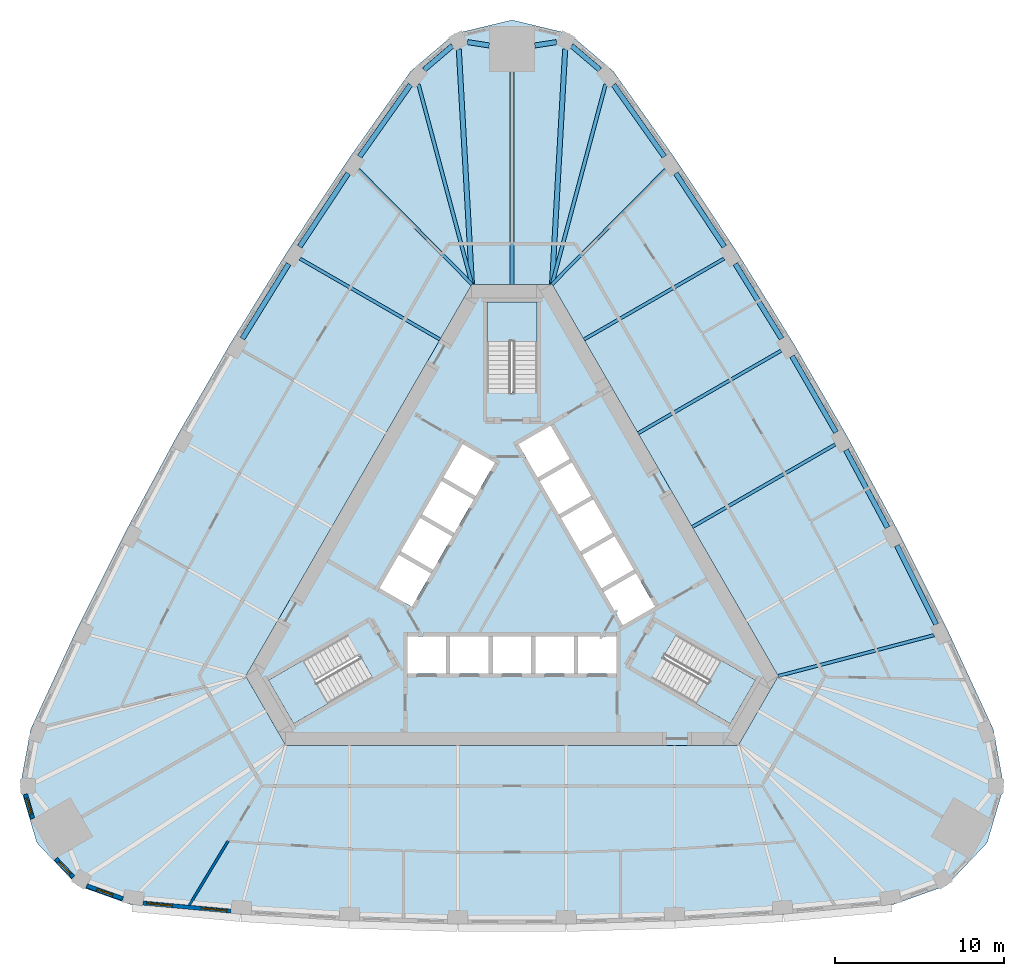
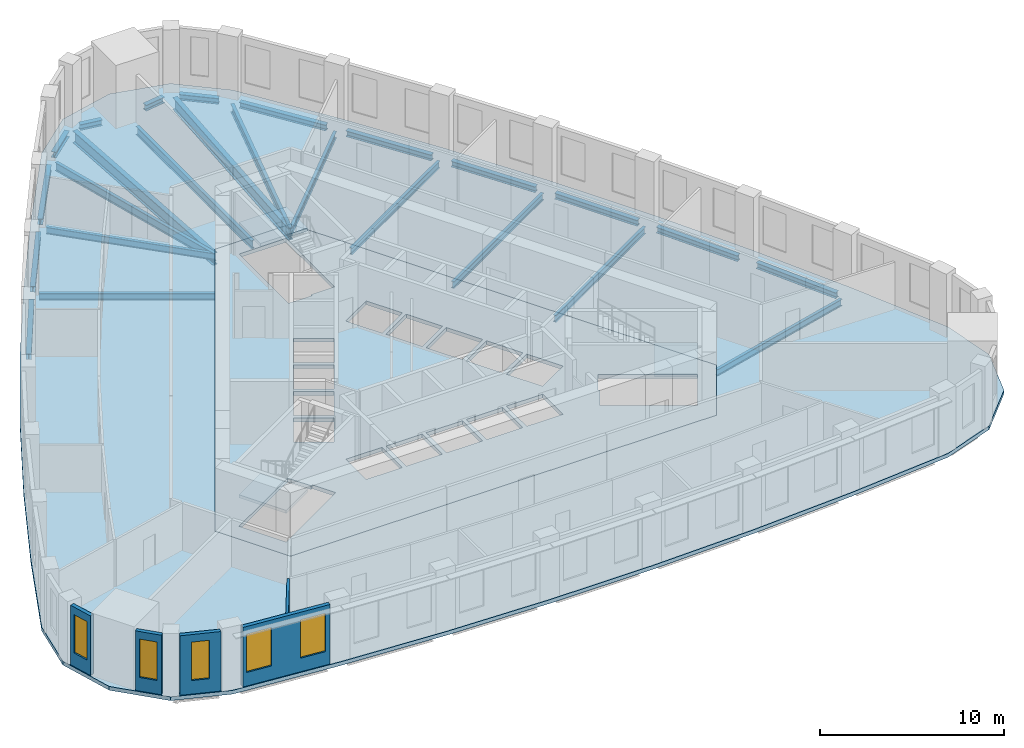
# One storey, part 2 of 10: 25 beams, 5 slabs, 5 walls, 5 windows, 5 openings, 3 elements without a shape of their own.
"""IFC4 building model written with IfcOpenShell, lengths in metres."""

from ifc_helpers import new_model, si_unit, direction, frame, frame_2d, origin, origin_2d, place, context, subcontext, project, spatial, polyline, rectangle, i_section, outline, extrude, material, layer, layer_set, material_profile, profile_set, type_object, element, fill, aggregate, save


model = new_model("IFC4")

# Units and contexts
model_context = context("Model", 3, precision=1e-05, world=origin(), true_north=direction((0.0, 1.0)))
body_context = subcontext(model_context, "Body", "Model", "MODEL_VIEW")
ifc_project = project(units=[si_unit("LENGTHUNIT", "METRE"), si_unit("AREAUNIT", "SQUARE_METRE"), si_unit("VOLUMEUNIT", "CUBIC_METRE"), si_unit("PLANEANGLEUNIT", "RADIAN"), si_unit("MASSUNIT", "GRAM", prefix="KILO")], contexts=[model_context])

# Site, building, storey
site_placement = place(None, origin())
site = spatial("IfcSite", under=ifc_project, at=site_placement, CompositionType="ELEMENT")
building_placement = place(site_placement, origin())
building = spatial("IfcBuilding", under=site, at=building_placement, Name="Mestral Congress Tower", CompositionType="ELEMENT")
storey_placement = place(building_placement, frame((0.0, 0.0, 150.0)))
storey = spatial("IfcBuildingStorey", under=building, at=storey_placement, Name="L35", CompositionType="ELEMENT", Elevation=150.0)

# Beams
ifc_material_1 = material(Name="Steel S355", Category="steel")
ifc_material_profile_1 = material_profile(ifc_material_1, i_section(OverallWidth=0.300048828125, OverallDepth=0.800048828125, WebThickness=0.017578125, FlangeThickness=0.032958984375, FilletRadius=0.030029296875, at=origin_2d()), Name="HEB 800")
ifc_profile_set_1 = profile_set([ifc_material_profile_1], Name="Steel S355")
beam_type_1 = type_object("IfcBeamType", Name="Floor beam HEB 800 S355", PredefinedType="BEAM", material=ifc_profile_set_1)
for number, where, z_axis, x_axis, name in (
    (1, (3.143798828125, 30.703857421875, -0.64990234375), (-0.055769084972, -0.998443693536, 0.0), (0.998443693536, -0.055769084972, 0.0), "BM-L35-RB3-N1"),
    (2, (-3.143798828125, 30.703857421875, -0.64990234375), (0.055769084972, -0.998443693536, 0.0), (0.998443693536, 0.055769084972, 0.0), "BM-L35-RB3-N3"),
):
    element("IfcBeam", number, at=place(storey_placement, frame(where, z_axis=z_axis, x_axis=x_axis)), inside=storey, type_object=beam_type_1, Name=name, PredefinedType="BEAM", context=body_context, shape_type="SweptSolid", body=[
        extrude(i_section(OverallWidth=0.300048828125, OverallDepth=0.800048828125, WebThickness=0.017578125, FlangeThickness=0.032958984375, FilletRadius=0.030029296875, at=origin_2d()), origin(), (0.0, 0.0, 1.0), 13.925537109375),
    ])
ifc_material_profile_2 = material_profile(ifc_material_1, i_section(OverallWidth=0.18994140625, OverallDepth=0.449951171875, WebThickness=0.009521484375, FlangeThickness=0.0146484375, FilletRadius=0.02099609375, at=origin_2d()), Name="IPE 450")
ifc_profile_set_2 = profile_set([ifc_material_profile_2], Name="Steel S355")
beam_type_2 = type_object("IfcBeamType", Name="Floor beam IPE 450 S355", PredefinedType="BEAM", material=ifc_profile_set_2)
beam_1_placement = place(storey_placement, frame((24.938232421875, -3.93505859375, -0.47509765625), z_axis=(-0.967265999603, -0.253764627187, 0.0), x_axis=(0.253764627187, -0.967265999603, 0.0)))
element("IfcBeam", 3, at=beam_1_placement, inside=storey, type_object=beam_type_2, Name="BM-L35-RB3-E01", PredefinedType="BEAM", context=body_context, shape_type="SweptSolid", body=[
    extrude(i_section(OverallWidth=0.18994140625, OverallDepth=0.449951171875, WebThickness=0.009521484375, FlangeThickness=0.0146484375, FilletRadius=0.02099609375, at=origin_2d()), origin(), (0.0, 0.0, 1.0), 9.516845703125),
])
beam_2_placement = place(storey_placement, frame((19.100830078125, 7.332763671875, -0.47509765625), z_axis=(-0.866036015824, -0.499981618958, 0.0), x_axis=(0.499981618958, -0.866036015824, 0.0)))
element("IfcBeam", 4, at=beam_2_placement, inside=storey, type_object=beam_type_2, Name="BM-L35-RB3-E03", PredefinedType="BEAM", context=body_context, shape_type="SweptSolid", body=[
    extrude(i_section(OverallWidth=0.18994140625, OverallDepth=0.449951171875, WebThickness=0.009521484375, FlangeThickness=0.0146484375, FilletRadius=0.02099609375, at=origin_2d()), origin(), (0.0, 0.0, 1.0), 9.758056640625),
])
beam_3_placement = place(storey_placement, frame((15.90087890625, 12.875244140625, -0.47509765625), z_axis=(-0.866025182435, -0.500000383388, 0.0), x_axis=(0.500000383388, -0.866025182435, 0.0)))
element("IfcBeam", 5, at=beam_3_placement, inside=storey, type_object=beam_type_2, Name="BM-L35-RB3-E04", PredefinedType="BEAM", context=body_context, shape_type="SweptSolid", body=[
    extrude(i_section(OverallWidth=0.18994140625, OverallDepth=0.449951171875, WebThickness=0.009521484375, FlangeThickness=0.0146484375, FilletRadius=0.02099609375, at=origin_2d()), origin(), (0.0, 0.0, 1.0), 9.75830078125),
])
beam_4_placement = place(storey_placement, frame((12.532958984375, 18.317138671875, -0.47509765625), z_axis=(-0.866022320763, -0.500005339912, 0.0), x_axis=(0.500005339912, -0.866022320763, 0.0)))
element("IfcBeam", 6, at=beam_4_placement, inside=storey, type_object=beam_type_2, Name="BM-L35-RB3-E05", PredefinedType="BEAM", context=body_context, shape_type="SweptSolid", body=[
    extrude(i_section(OverallWidth=0.18994140625, OverallDepth=0.449951171875, WebThickness=0.009521484375, FlangeThickness=0.0146484375, FilletRadius=0.02099609375, at=origin_2d()), origin(), (0.0, 0.0, 1.0), 9.5625),
])
for number, where, z_axis, x_axis, name in (
    (7, (9.06103515625, 23.564697265625, -0.47509765625), (-0.703377189025, -0.710816804781, 0.0), (0.710816804781, -0.703377189025, 0.0), "BM-L35-RB3-E06"),
    (8, (-9.06103515625, 23.564697265625, -0.47509765625), (0.703377189025, -0.710816804781, 0.0), (0.710816804781, 0.703377189025, 0.0), "BM-L35-RB3-W01"),
):
    element("IfcBeam", number, at=place(storey_placement, frame(where, z_axis=z_axis, x_axis=x_axis)), inside=storey, type_object=beam_type_2, Name=name, PredefinedType="BEAM", context=body_context, shape_type="SweptSolid", body=[
        extrude(i_section(OverallWidth=0.18994140625, OverallDepth=0.449951171875, WebThickness=0.009521484375, FlangeThickness=0.0146484375, FilletRadius=0.02099609375, at=origin_2d()), origin(), (0.0, 0.0, 1.0), 9.516845703125),
    ])
beam_5_placement = place(storey_placement, frame((-12.532958984375, 18.317138671875, -0.47509765625), z_axis=(0.866022320763, -0.500005339912, 0.0), x_axis=(0.500005339912, 0.866022320763, 0.0)))
element("IfcBeam", 9, at=beam_5_placement, inside=storey, type_object=beam_type_2, Name="BM-L35-RB3-W02", PredefinedType="BEAM", context=body_context, shape_type="SweptSolid", body=[
    extrude(i_section(OverallWidth=0.18994140625, OverallDepth=0.449951171875, WebThickness=0.009521484375, FlangeThickness=0.0146484375, FilletRadius=0.02099609375, at=origin_2d()), origin(), (0.0, 0.0, 1.0), 9.5625),
])
ifc_material_profile_3 = material_profile(ifc_material_1, i_section(OverallWidth=0.2099609375, OverallDepth=0.550048828125, WebThickness=0.010986328125, FlangeThickness=0.01708984375, FilletRadius=0.02392578125, at=origin_2d()), Name="IPE 550")
ifc_profile_set_3 = profile_set([ifc_material_profile_3], Name="Steel S355")
beam_type_3 = type_object("IfcBeamType", Name="Floor beam IPE 550 S355", PredefinedType="BEAM", material=ifc_profile_set_3)
beam_6_placement = place(storey_placement, frame((5.5283203125, 28.609375, -0.52490234375), z_axis=(-0.258577363905, -0.965990552167, 0.0), x_axis=(0.965990552167, -0.258577363905, 0.0)))
element("IfcBeam", 10, at=beam_6_placement, inside=storey, type_object=beam_type_3, Name="BM-L35-RB3-E07", PredefinedType="BEAM", context=body_context, shape_type="SweptSolid", body=[
    extrude(i_section(OverallWidth=0.2099609375, OverallDepth=0.550048828125, WebThickness=0.010986328125, FlangeThickness=0.01708984375, FilletRadius=0.02392578125, at=origin_2d()), origin(), (0.0, 0.0, 1.0), 12.22509765625),
])
beam_7_placement = place(storey_placement, frame((0.0, 29.354248046875, -0.52490234375), z_axis=(0.0, -1.0, 0.0), x_axis=(1.0, 0.0, 0.0)))
element("IfcBeam", 11, at=beam_7_placement, inside=storey, type_object=beam_type_3, Name="BM-L35-RB3-N", PredefinedType="BEAM", context=body_context, shape_type="SweptSolid", body=[
    extrude(i_section(OverallWidth=0.2099609375, OverallDepth=0.550048828125, WebThickness=0.010986328125, FlangeThickness=0.01708984375, FilletRadius=0.02392578125, at=origin_2d()), origin(), (0.0, 0.0, 1.0), 12.55419921875),
])
beam_8_placement = place(storey_placement, frame((-5.5283203125, 28.609375, -0.52490234375), z_axis=(0.258577363905, -0.965990552167, 0.0), x_axis=(0.965990552167, 0.258577363905, 0.0)))
element("IfcBeam", 12, at=beam_8_placement, inside=storey, type_object=beam_type_3, Name="BM-L35-RB3-W00", PredefinedType="BEAM", context=body_context, shape_type="SweptSolid", body=[
    extrude(i_section(OverallWidth=0.2099609375, OverallDepth=0.550048828125, WebThickness=0.010986328125, FlangeThickness=0.01708984375, FilletRadius=0.02392578125, at=origin_2d()), origin(), (0.0, 0.0, 1.0), 12.22509765625),
])
ifc_material_profile_4 = material_profile(ifc_material_1, i_section(OverallWidth=0.300048828125, OverallDepth=0.389892578125, WebThickness=0.010986328125, FlangeThickness=0.01904296875, FilletRadius=0.027099609375, at=origin_2d()), Name="HEA 400")
ifc_profile_set_4 = profile_set([ifc_material_profile_4], Name="Steel S355")
beam_type_4 = type_object("IfcBeamType", Name="Spandrel beam HEA 400 S355", PredefinedType="BEAM", material=ifc_profile_set_4)
beam_9_placement = place(storey_placement, frame((25.064453125, -3.294677734375, -0.445068359375), z_axis=(-0.446255467462, 0.894905613884, 0.0), x_axis=(-0.894905613884, -0.446255467462, 0.0)))
element("IfcBeam", 13, at=beam_9_placement, inside=storey, type_object=beam_type_4, Name="SP-L35-SB3-E01", PredefinedType="BEAM", context=body_context, shape_type="SweptSolid", body=[
    extrude(i_section(OverallWidth=0.300048828125, OverallDepth=0.389892578125, WebThickness=0.010986328125, FlangeThickness=0.01904296875, FilletRadius=0.027099609375, at=origin_2d()), origin(), (0.0, 0.0, 1.0), 5.199462890625),
])
for number, where, z_axis, x_axis, name in (
    (14, (22.1923828125, 2.424072265625, -0.445068359375), (-0.473332458078, 0.880883865291, 0.0), (-0.880883865291, -0.473332458078, 0.0), "SP-L35-SB3-E02"),
    (15, (19.147216796875, 8.052490234375, -0.445068359375), (-0.499992051641, 0.866029992723, 0.0), (-0.866029992723, -0.499992051641, 0.0), "SP-L35-SB3-E03"),
):
    element("IfcBeam", number, at=place(storey_placement, frame(where, z_axis=z_axis, x_axis=x_axis)), inside=storey, type_object=beam_type_4, Name=name, PredefinedType="BEAM", context=body_context, shape_type="SweptSolid", body=[
        extrude(i_section(OverallWidth=0.300048828125, OverallDepth=0.389892578125, WebThickness=0.010986328125, FlangeThickness=0.01904296875, FilletRadius=0.027099609375, at=origin_2d()), origin(), (0.0, 0.0, 1.0), 5.19970703125),
    ])
for number, where, z_axis, x_axis, name in (
    (16, (15.931640625, 13.585693359375, -0.445068359375), (-0.526220441006, 0.8503481919, 0.0), (-0.8503481919, -0.526220441006, 0.0), "SP-L35-SB3-E04"),
    (17, (12.548583984375, 19.017822265625, -0.445068359375), (-0.551901475275, 0.833909324561, 0.0), (-0.833909324561, -0.551901475275, 0.0), "SP-L35-SB3-E05"),
):
    element("IfcBeam", number, at=place(storey_placement, frame(where, z_axis=z_axis, x_axis=x_axis)), inside=storey, type_object=beam_type_4, Name=name, PredefinedType="BEAM", context=body_context, shape_type="SweptSolid", body=[
        extrude(i_section(OverallWidth=0.300048828125, OverallDepth=0.389892578125, WebThickness=0.010986328125, FlangeThickness=0.01904296875, FilletRadius=0.027099609375, at=origin_2d()), origin(), (0.0, 0.0, 1.0), 5.199462890625),
    ])
beam_10_placement = place(storey_placement, frame((9.00146484375, 24.34423828125, -0.445068359375), z_axis=(-0.577107284947, 0.816668342512, 0.0), x_axis=(-0.816668342512, -0.577107284947, 0.0)))
element("IfcBeam", 18, at=beam_10_placement, inside=storey, type_object=beam_type_4, Name="SP-L35-SB3-E06", PredefinedType="BEAM", context=body_context, shape_type="SweptSolid", body=[
    extrude(i_section(OverallWidth=0.300048828125, OverallDepth=0.389892578125, WebThickness=0.010986328125, FlangeThickness=0.01904296875, FilletRadius=0.027099609375, at=origin_2d()), origin(), (0.0, 0.0, 1.0), 5.197509765625),
])
beam_11_placement = place(storey_placement, frame((5.191162109375, 29.47509765625, -0.445068359375), z_axis=(-0.761471479234, 0.648198415852, 0.0), x_axis=(-0.648198415852, -0.761471479234, 0.0)))
element("IfcBeam", 19, at=beam_11_placement, inside=storey, type_object=beam_type_4, Name="SP-L35-SB3-E07", PredefinedType="BEAM", context=body_context, shape_type="SweptSolid", body=[
    extrude(i_section(OverallWidth=0.300048828125, OverallDepth=0.389892578125, WebThickness=0.010986328125, FlangeThickness=0.01904296875, FilletRadius=0.027099609375, at=origin_2d()), origin(), (0.0, 0.0, 1.0), 2.189697265625),
])
for number, where, z_axis, x_axis, name in (
    (20, (2.62353515625, 31.10986328125, -0.445068359375), (-0.988242111203, -0.152897121116, 0.0), (0.152897121116, -0.988242111203, 0.0), "SP-L35-SB3-N1"),
    (21, (-1.35009765625, 30.912841796875, -0.445068359375), (-0.988242111203, 0.152897121116, 0.0), (-0.152897121116, -0.988242111203, 0.0), "SP-L35-SB3-N"),
):
    element("IfcBeam", number, at=place(storey_placement, frame(where, z_axis=z_axis, x_axis=x_axis)), inside=storey, type_object=beam_type_4, Name=name, PredefinedType="BEAM", context=body_context, shape_type="SweptSolid", body=[
        extrude(i_section(OverallWidth=0.300048828125, OverallDepth=0.389892578125, WebThickness=0.010986328125, FlangeThickness=0.01904296875, FilletRadius=0.027099609375, at=origin_2d()), origin(), (0.0, 0.0, 1.0), 1.28857421875),
    ])
beam_12_placement = place(storey_placement, frame((-3.523681640625, 30.89453125, -0.445068359375), z_axis=(-0.761471479234, -0.648198415852, 0.0), x_axis=(0.648198415852, -0.761471479234, 0.0)))
element("IfcBeam", 22, at=beam_12_placement, inside=storey, type_object=beam_type_4, Name="SP-L35-SB3-N3", PredefinedType="BEAM", context=body_context, shape_type="SweptSolid", body=[
    extrude(i_section(OverallWidth=0.300048828125, OverallDepth=0.389892578125, WebThickness=0.010986328125, FlangeThickness=0.01904296875, FilletRadius=0.027099609375, at=origin_2d()), origin(), (0.0, 0.0, 1.0), 2.189697265625),
])
beam_13_placement = place(storey_placement, frame((-6.001953125, 28.5888671875, -0.445068359375), z_axis=(-0.577107284947, -0.816668342512, 0.0), x_axis=(0.816668342512, -0.577107284947, 0.0)))
element("IfcBeam", 23, at=beam_13_placement, inside=storey, type_object=beam_type_4, Name="SP-L35-SB3-W00", PredefinedType="BEAM", context=body_context, shape_type="SweptSolid", body=[
    extrude(i_section(OverallWidth=0.300048828125, OverallDepth=0.389892578125, WebThickness=0.010986328125, FlangeThickness=0.01904296875, FilletRadius=0.027099609375, at=origin_2d()), origin(), (0.0, 0.0, 1.0), 5.197509765625),
])
for number, where, z_axis, x_axis, name in (
    (24, (-9.678955078125, 23.353759765625, -0.445068359375), (-0.551901475275, -0.833909324561, 0.0), (0.833909324561, -0.551901475275, 0.0), "SP-L35-SB3-W01"),
    (25, (-13.195556640625, 18.007080078125, -0.445068359375), (-0.526220441006, -0.8503481919, 0.0), (0.8503481919, -0.526220441006, 0.0), "SP-L35-SB3-W02"),
):
    element("IfcBeam", number, at=place(storey_placement, frame(where, z_axis=z_axis, x_axis=x_axis)), inside=storey, type_object=beam_type_4, Name=name, PredefinedType="BEAM", context=body_context, shape_type="SweptSolid", body=[
        extrude(i_section(OverallWidth=0.300048828125, OverallDepth=0.389892578125, WebThickness=0.010986328125, FlangeThickness=0.01904296875, FilletRadius=0.027099609375, at=origin_2d()), origin(), (0.0, 0.0, 1.0), 5.199462890625),
    ])

# Slabs
ifc_material_2 = material(Name="Concrete C35/45", Category="concrete")
ifc_layer_1 = layer(ifc_material_2, 0.25)
ifc_layer_set_1 = layer_set([ifc_layer_1], Name="Concrete C35/45")
slab_type_1 = type_object("IfcSlabType", Name="Composite floor slab 250", PredefinedType="FLOOR", material=ifc_layer_set_1)
placement_1 = place(storey_placement, frame((0.0, 0.0, -0.25)))
element("IfcSlab", 26, at=placement_1, inside=storey, type_object=slab_type_1, Name="SL-L35", PredefinedType="FLOOR", context=body_context, shape_type="SweptSolid", body=[
    extrude(outline(polyline([(-22.455078125, -19.880126953125), (-25.68212890625, -18.731689453125), (-28.073974609375, -16.20849609375), (-29.06298828125, -12.87548828125), (-28.444091796875, -9.506591796875), (-25.73779296875, -3.63720703125), (-22.8759765625, 2.1025390625), (-19.84033203125, 7.751953125), (-16.633544921875, 13.30615234375), (-13.2587890625, 18.760009765625), (-9.71923828125, 24.1083984375), (-5.9892578125, 29.38671875), (-3.381103515625, 31.607177734375), (0.0, 32.4169921875), (3.381103515625, 31.607177734375), (5.9892578125, 29.38671875), (9.71923828125, 24.1083984375), (13.2587890625, 18.760009765625), (16.633544921875, 13.30615234375), (19.84033203125, 7.751953125), (22.8759765625, 2.1025390625), (25.73779296875, -3.63720703125), (28.444091796875, -9.506591796875), (29.06298828125, -12.87548828125), (28.073974609375, -16.20849609375), (25.68212890625, -18.731689453125), (22.455078125, -19.880126953125), (16.018798828125, -20.47119140625), (9.6171875, -20.862548828125), (3.206787109375, -21.05810546875), (-3.206787109375, -21.05810546875), (-9.6171875, -20.862548828125), (-16.018798828125, -20.47119140625), (-22.455078125, -19.880126953125)]), holes=[polyline([(-2.3671875, 16.800048828125), (-15.73291015625, -6.35009765625), (-13.36572265625, -10.449951171875), (13.36572265625, -10.449951171875), (15.73291015625, -6.35009765625), (2.3671875, 16.800048828125), (-2.3671875, 16.800048828125)])]), origin(), (0.0, 0.0, 1.0), 0.25),
])
ifc_material_3 = material(Name="Concrete C60/75", Category="concrete")
ifc_layer_2 = layer(ifc_material_3, 0.25)
ifc_layer_set_2 = layer_set([ifc_layer_2], Name="Concrete C60/75")
slab_type_2 = type_object("IfcSlabType", Name="Core floor slab RC 250", PredefinedType="FLOOR", material=ifc_layer_set_2)
element("IfcSlab", 27, at=placement_1, inside=storey, type_object=slab_type_2, Name="L35 core floor", PredefinedType="FLOOR", context=body_context, shape_type="SweptSolid", body=[
    extrude(outline(polyline([(13.36572265625, -10.449951171875), (-13.36572265625, -10.449951171875), (-15.73291015625, -6.35009765625), (-2.3671875, 16.800048828125), (2.3671875, 16.800048828125), (15.73291015625, -6.35009765625), (13.36572265625, -10.449951171875)]), holes=[polyline([(-9.8046875, -3.95751953125), (-14.37744140625, -6.59765625), (-12.90234375, -9.15234375), (-8.234619140625, -6.45751953125), (-8.971923828125, -5.179931640625), (-9.0673828125, -5.235107421875), (-9.8046875, -3.95751953125)]), polyline([(-3.905029296875, -4.0), (-6.175048828125, -4.0), (-6.175048828125, -6.199951171875), (-3.905029296875, -6.199951171875), (-3.905029296875, -4.0)]), polyline([(-1.385009765625, -4.0), (-3.655029296875, -4.0), (-3.655029296875, -6.199951171875), (-1.385009765625, -6.199951171875), (-1.385009765625, -4.0)]), polyline([(1.135009765625, -4.0), (-1.135009765625, -4.0), (-1.135009765625, -6.199951171875), (1.135009765625, -6.199951171875), (1.135009765625, -4.0)]), polyline([(-5.921630859375, -2.256591796875), (-4.78662109375, -0.29052734375), (-6.69189453125, 0.809326171875), (-7.826904296875, -1.156494140625), (-5.921630859375, -2.256591796875)]), polyline([(-4.66162109375, -0.07421875), (-3.526611328125, 1.8916015625), (-5.431884765625, 2.99169921875), (-6.56689453125, 1.02587890625), (-4.66162109375, -0.07421875)]), polyline([(-3.401611328125, 2.1083984375), (-2.2666015625, 4.07421875), (-4.171875, 5.174072265625), (-5.306884765625, 3.208251953125), (-3.401611328125, 2.1083984375)]), polyline([(-2.1416015625, 4.29052734375), (-1.006591796875, 6.256591796875), (-2.911865234375, 7.3564453125), (-4.046875, 5.390625), (-2.1416015625, 4.29052734375)]), polyline([(1.47509765625, 10.469970703125), (1.47509765625, 15.75), (-1.47509765625, 15.75), (-1.47509765625, 10.360107421875), (0.0, 10.360107421875), (0.0, 10.469970703125), (1.47509765625, 10.469970703125)]), polyline([(8.329833984375, -6.512451171875), (12.90234375, -9.15234375), (14.37744140625, -6.59765625), (9.70947265625, -3.902587890625), (8.971923828125, -5.179931640625), (9.0673828125, -5.235107421875), (8.329833984375, -6.512451171875)]), polyline([(3.655029296875, -4.0), (1.385009765625, -4.0), (1.385009765625, -6.199951171875), (3.655029296875, -6.199951171875), (3.655029296875, -4.0)]), polyline([(6.175048828125, -4.0), (3.905029296875, -4.0), (3.905029296875, -6.199951171875), (6.175048828125, -6.199951171875), (6.175048828125, -4.0)]), polyline([(5.41650390625, -1.3818359375), (6.551513671875, -3.34765625), (8.456787109375, -2.247802734375), (7.322021484375, -0.28173828125), (5.41650390625, -1.3818359375)]), polyline([(4.156494140625, 0.800537109375), (5.29150390625, -1.165283203125), (7.197021484375, -0.065185546875), (6.06201171875, 1.900634765625), (4.156494140625, 0.800537109375)]), polyline([(2.896484375, 2.98291015625), (4.031494140625, 1.01708984375), (5.93701171875, 2.1171875), (4.802001953125, 4.0830078125), (2.896484375, 2.98291015625)]), polyline([(3.5419921875, 6.265380859375), (1.63671875, 5.165283203125), (2.771484375, 3.199462890625), (4.677001953125, 4.29931640625), (3.5419921875, 6.265380859375)]), polyline([(2.281982421875, 8.44775390625), (0.376708984375, 7.34765625), (1.51171875, 5.3818359375), (3.4169921875, 6.481689453125), (2.281982421875, 8.44775390625)])]), origin(), (0.0, 0.0, 1.0), 0.25),
])

# Stair, slab
stair_type = type_object("IfcStairType", Name="Exit stair 1400", PredefinedType="HALF_TURN_STAIR", material=ifc_material_3)
placement_2 = place(storey_placement, origin())
stair_1 = element("IfcStair", 28, at=placement_2, inside=storey, type_object=stair_type, Name="L35 ST1", PredefinedType="HALF_TURN_STAIR")
ifc_layer_3 = layer(ifc_material_3, 0.199951171875)
ifc_layer_set_3 = layer_set([ifc_layer_3], Name="Concrete C60/75")
slab_type_3 = type_object("IfcSlabType", Name="Exit stair landing 200", PredefinedType="LANDING", material=ifc_layer_set_3)
placement_3 = place(storey_placement, frame((0.0, 0.0, 1.89990234375)))
slab_3 = element("IfcSlab", 29, at=placement_3, type_object=slab_type_3, Name="ST1 landing 1", PredefinedType="LANDING", context=body_context, shape_type="SweptSolid", body=[
    extrude(outline(polyline([(10.879638671875, -7.99609375), (12.364501953125, -5.424072265625), (14.39111328125, -6.593994140625), (12.906005859375, -9.166015625), (10.879638671875, -7.99609375)])), origin(), (0.0, 0.0, 1.0), 0.2001953125),
])
aggregate(stair_1, [slab_3])

stair_2 = element("IfcStair", 30, at=placement_2, inside=storey, type_object=stair_type, Name="L35 ST2", PredefinedType="HALF_TURN_STAIR")
slab_4 = element("IfcSlab", 31, at=placement_3, type_object=slab_type_3, Name="ST2 landing 1", PredefinedType="LANDING", context=body_context, shape_type="SweptSolid", body=[
    extrude(outline(polyline([(1.485107421875, 13.419921875), (-1.485107421875, 13.419921875), (-1.485107421875, 15.760009765625), (1.485107421875, 15.760009765625), (1.485107421875, 13.419921875)])), origin(), (0.0, 0.0, 1.0), 0.2001953125),
])
aggregate(stair_2, [slab_4])

stair_3 = element("IfcStair", 32, at=placement_2, inside=storey, type_object=stair_type, Name="L35 ST3", PredefinedType="HALF_TURN_STAIR")
slab_5 = element("IfcSlab", 33, at=placement_3, type_object=slab_type_3, Name="ST3 landing 1", PredefinedType="LANDING", context=body_context, shape_type="SweptSolid", body=[
    extrude(outline(polyline([(-12.364501953125, -5.424072265625), (-10.879638671875, -7.99609375), (-12.906005859375, -9.166015625), (-14.39111328125, -6.593994140625), (-12.364501953125, -5.424072265625)])), origin(), (0.0, 0.0, 1.0), 0.2001953125),
])
aggregate(stair_3, [slab_5])

# Wall, openings, windows
ifc_material_4 = material(Name="Precast concrete C40/50 with limestone facing", Category="masonry")
ifc_layer_4 = layer(ifc_material_4, 0.239990234375)
ifc_layer_set_4 = layer_set([ifc_layer_4], Name="Precast concrete C40/50 with limestone facing")
wall_type_1 = type_object("IfcWallType", Name="Facade stone wall 240", PredefinedType="SOLIDWALL", material=ifc_layer_set_4)
wall_1_placement = place(storey_placement, frame((-21.797119140625, -19.769775390625, 0.0), z_axis=(0.0, 0.0, 1.0), x_axis=(0.995808712151, -0.091460422067, 0.0)))
wall_1 = element("IfcWall", 34, at=wall_1_placement, inside=storey, type_object=wall_type_1, Name="Facade wall F0-00", PredefinedType="SOLIDWALL", context=body_context, shape_type="SweptSolid", body=[
    extrude(rectangle(XDim=5.213134765625, YDim=0.239990234375, at=frame_2d((2.6064453125, 0.0))), origin(), (0.0, 0.0, 1.0), 3.949951171875),
])
opening_1_placement = place(wall_1_placement, frame((0.220947265625, 0.0, 0.89990234375)))
opening_1 = element("IfcOpeningElement", 35, at=opening_1_placement, cuts=wall_1, Name="Opening W4", PredefinedType="OPENING", context=body_context, shape_type="SweptSolid", body=[
    extrude(rectangle(XDim=1.5, YDim=2.550048828125, at=frame_2d((0.75, 1.27490234375))), frame((0.0, 0.1298828125, 0.0), z_axis=(0.0, -1.0, 0.0), x_axis=(1.0, 0.0, 0.0)), (0.0, 0.0, 1.0), 0.260009765625),
])
opening_2_placement = place(wall_1_placement, frame((3.452392578125, 0.0, 0.89990234375)))
opening_2 = element("IfcOpeningElement", 36, at=opening_2_placement, cuts=wall_1, Name="Opening W4", PredefinedType="OPENING", context=body_context, shape_type="SweptSolid", body=[
    extrude(rectangle(XDim=1.5, YDim=2.550048828125, at=frame_2d((0.75, 1.27490234375))), frame((0.0, 0.1298828125, 0.0), z_axis=(0.0, -1.0, 0.0), x_axis=(1.0, 0.0, 0.0)), (0.0, 0.0, 1.0), 0.260009765625),
])
ifc_material_5 = material(Name="Clear low-emissivity double glazing", Category="glass")
window_type_1 = type_object("IfcWindowType", Name="Facade punched window 1500 x 2550 sill 900", PartitioningType="SINGLE_PANEL", PredefinedType="WINDOW", material=ifc_material_5)
window_1_placement = place(opening_1_placement, origin())
window_1 = element("IfcWindow", 37, at=window_1_placement, inside=storey, type_object=window_type_1, Name="Window F0-00a", OverallHeight=2.550048828125, OverallWidth=1.5, PartitioningType="SINGLE_PANEL", PredefinedType="WINDOW", context=body_context, shape_type="SweptSolid", body=[
    extrude(rectangle(XDim=1.5, YDim=2.550048828125, at=frame_2d((0.75, 1.27490234375))), frame((0.0, 0.0400390625, 0.0), z_axis=(0.0, -1.0, 0.0), x_axis=(1.0, 0.0, 0.0)), (0.0, 0.0, 1.0), 0.06005859375),
])
fill(opening_1, window_1)
window_2_placement = place(opening_2_placement, origin())
window_2 = element("IfcWindow", 38, at=window_2_placement, inside=storey, type_object=window_type_1, Name="Window F0-00b", OverallHeight=2.550048828125, OverallWidth=1.5, PartitioningType="SINGLE_PANEL", PredefinedType="WINDOW", context=body_context, shape_type="SweptSolid", body=[
    extrude(rectangle(XDim=1.5, YDim=2.550048828125, at=frame_2d((0.75, 1.27490234375))), frame((0.0, 0.0400390625, 0.0), z_axis=(0.0, -1.0, 0.0), x_axis=(1.0, 0.0, 0.0)), (0.0, 0.0, 1.0), 0.06005859375),
])
fill(opening_2, window_2)

# Wall, opening, window
wall_2_placement = place(storey_placement, frame((-28.747802734375, -13.340087890625, 0.0), z_axis=(0.0, 0.0, 1.0), x_axis=(0.284413721403, -0.958701640281, 0.0)))
wall_2 = element("IfcWall", 39, at=wall_2_placement, inside=storey, type_object=wall_type_1, Name="Facade wall K2-1", PredefinedType="SOLIDWALL", context=body_context, shape_type="SweptSolid", body=[
    extrude(rectangle(XDim=1.481689453125, YDim=0.239990234375, at=frame_2d((0.74072265625, 0.0))), origin(), (0.0, 0.0, 1.0), 3.949951171875),
])
opening_3_placement = place(wall_2_placement, frame((0.24072265625, 0.0, 0.89990234375)))
opening_3 = element("IfcOpeningElement", 40, at=opening_3_placement, cuts=wall_2, Name="Opening W5", PredefinedType="OPENING", context=body_context, shape_type="SweptSolid", body=[
    extrude(rectangle(XDim=1.0, YDim=2.550048828125, at=frame_2d((0.5, 1.27490234375))), frame((0.0, 0.1298828125, 0.0), z_axis=(0.0, -1.0, 0.0), x_axis=(1.0, 0.0, 0.0)), (0.0, 0.0, 1.0), 0.260009765625),
])
window_type_2 = type_object("IfcWindowType", Name="Facade punched window 1000 x 2550 sill 900", PartitioningType="SINGLE_PANEL", PredefinedType="WINDOW", material=ifc_material_5)
window_3_placement = place(opening_3_placement, origin())
window_3 = element("IfcWindow", 41, at=window_3_placement, inside=storey, type_object=window_type_2, Name="Window K2-1", OverallHeight=2.550048828125, OverallWidth=1.0, PartitioningType="SINGLE_PANEL", PredefinedType="WINDOW", context=body_context, shape_type="SweptSolid", body=[
    extrude(rectangle(XDim=1.0, YDim=2.550048828125, at=frame_2d((0.5, 1.27490234375))), frame((0.0, 0.0400390625, 0.0), z_axis=(0.0, -1.0, 0.0), x_axis=(1.0, 0.0, 0.0)), (0.0, 0.0, 1.0), 0.06005859375),
])
fill(opening_3, window_3)

wall_3_placement = place(storey_placement, frame((-26.946044921875, -17.151123046875, 0.0), z_axis=(0.0, 0.0, 1.0), x_axis=(0.687986858937, -0.725723144133, 0.0)))
wall_3 = element("IfcWall", 42, at=wall_3_placement, inside=storey, type_object=wall_type_1, Name="Facade wall K2-2", PredefinedType="SOLIDWALL", context=body_context, shape_type="SweptSolid", body=[
    extrude(rectangle(XDim=1.4814453125, YDim=0.239990234375, at=frame_2d((0.74072265625, 0.0))), origin(), (0.0, 0.0, 1.0), 3.949951171875),
])
opening_4_placement = place(wall_3_placement, frame((0.24072265625, 0.0, 0.89990234375)))
opening_4 = element("IfcOpeningElement", 43, at=opening_4_placement, cuts=wall_3, Name="Opening W5", PredefinedType="OPENING", context=body_context, shape_type="SweptSolid", body=[
    extrude(rectangle(XDim=1.0, YDim=2.550048828125, at=frame_2d((0.5, 1.27490234375))), frame((0.0, 0.1298828125, 0.0), z_axis=(0.0, -1.0, 0.0), x_axis=(1.0, 0.0, 0.0)), (0.0, 0.0, 1.0), 0.260009765625),
])
window_4_placement = place(opening_4_placement, origin())
window_4 = element("IfcWindow", 44, at=window_4_placement, inside=storey, type_object=window_type_2, Name="Window K2-2", OverallHeight=2.550048828125, OverallWidth=1.0, PartitioningType="SINGLE_PANEL", PredefinedType="WINDOW", context=body_context, shape_type="SweptSolid", body=[
    extrude(rectangle(XDim=1.0, YDim=2.550048828125, at=frame_2d((0.5, 1.27490234375))), frame((0.0, 0.0400390625, 0.0), z_axis=(0.0, -1.0, 0.0), x_axis=(1.0, 0.0, 0.0)), (0.0, 0.0, 1.0), 0.06005859375),
])
fill(opening_4, window_4)

wall_4_placement = place(storey_placement, frame((-25.12109375, -18.750732421875, 0.0), z_axis=(0.0, 0.0, 1.0), x_axis=(0.942099727267, -0.335332825539, 0.0)))
wall_4 = element("IfcWall", 45, at=wall_4_placement, inside=storey, type_object=wall_type_1, Name="Facade wall K2-3", PredefinedType="SOLIDWALL", context=body_context, shape_type="SweptSolid", body=[
    extrude(rectangle(XDim=2.25048828125, YDim=0.239990234375, at=frame_2d((1.125244140625, 0.0))), origin(), (0.0, 0.0, 1.0), 3.949951171875),
])
opening_5_placement = place(wall_4_placement, frame((0.625244140625, 0.0, 0.89990234375)))
opening_5 = element("IfcOpeningElement", 46, at=opening_5_placement, cuts=wall_4, Name="Opening W5", PredefinedType="OPENING", context=body_context, shape_type="SweptSolid", body=[
    extrude(rectangle(XDim=1.0, YDim=2.550048828125, at=frame_2d((0.5, 1.27490234375))), frame((0.0, 0.1298828125, 0.0), z_axis=(0.0, -1.0, 0.0), x_axis=(1.0, 0.0, 0.0)), (0.0, 0.0, 1.0), 0.260009765625),
])
window_5_placement = place(opening_5_placement, origin())
window_5 = element("IfcWindow", 47, at=window_5_placement, inside=storey, type_object=window_type_2, Name="Window K2-3", OverallHeight=2.550048828125, OverallWidth=1.0, PartitioningType="SINGLE_PANEL", PredefinedType="WINDOW", context=body_context, shape_type="SweptSolid", body=[
    extrude(rectangle(XDim=1.0, YDim=2.550048828125, at=frame_2d((0.5, 1.27490234375))), frame((0.0, 0.0400390625, 0.0), z_axis=(0.0, -1.0, 0.0), x_axis=(1.0, 0.0, 0.0)), (0.0, 0.0, 1.0), 0.06005859375),
])
fill(opening_5, window_5)

# Wall
ifc_material_6 = material(Name="Plasterboard partition on steel studs", Category="steel")
ifc_layer_5 = layer(ifc_material_6, 0.14990234375)
ifc_layer_set_5 = layer_set([ifc_layer_5], Name="Plasterboard partition on steel studs")
wall_type_2 = type_object("IfcWallType", Name="Office partition 150", PredefinedType="PARTITIONING", material=ifc_layer_set_5)
wall_5_placement = place(storey_placement, frame((-16.7705078125, -16.090087890625, 0.0), z_axis=(0.0, 0.0, 1.0), x_axis=(-0.516817512045, -0.856095590015, 0.0)))
element("IfcWall", 48, at=wall_5_placement, inside=storey, type_object=wall_type_2, Name="Partition", PredefinedType="PARTITIONING", context=body_context, shape_type="SweptSolid", body=[
    extrude(rectangle(XDim=4.449951171875, YDim=0.14990234375, at=frame_2d((2.22509765625, 0.0))), origin(), (0.0, 0.0, 1.0), 3.14990234375),
])

save(model, "model.ifc")
